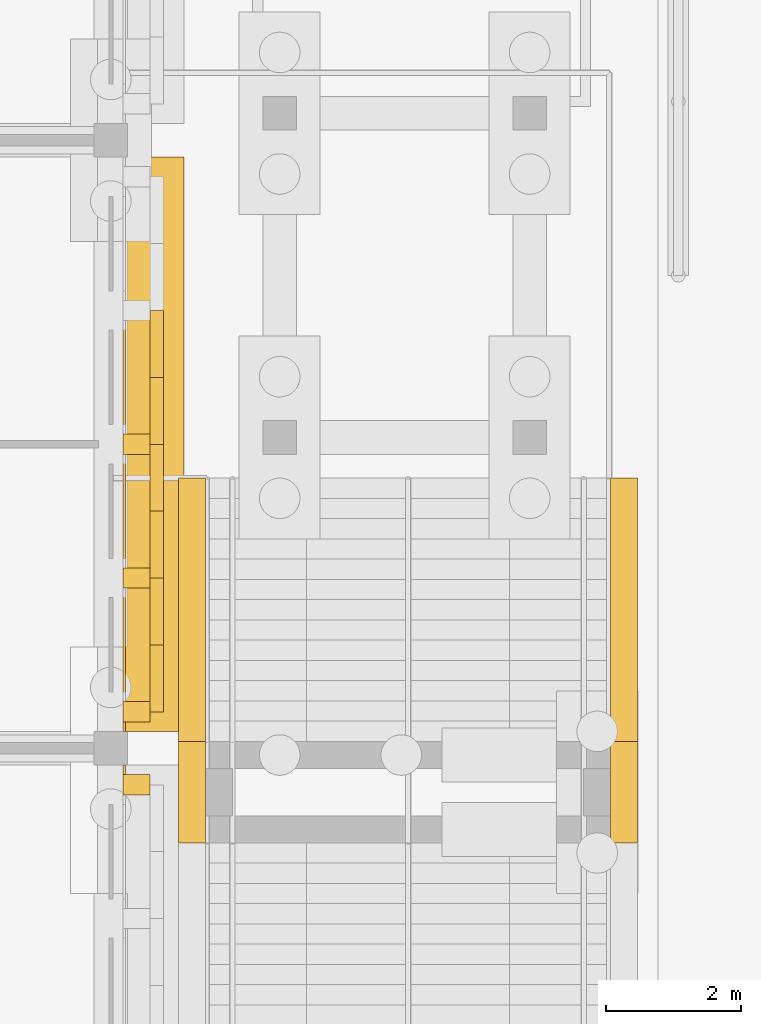
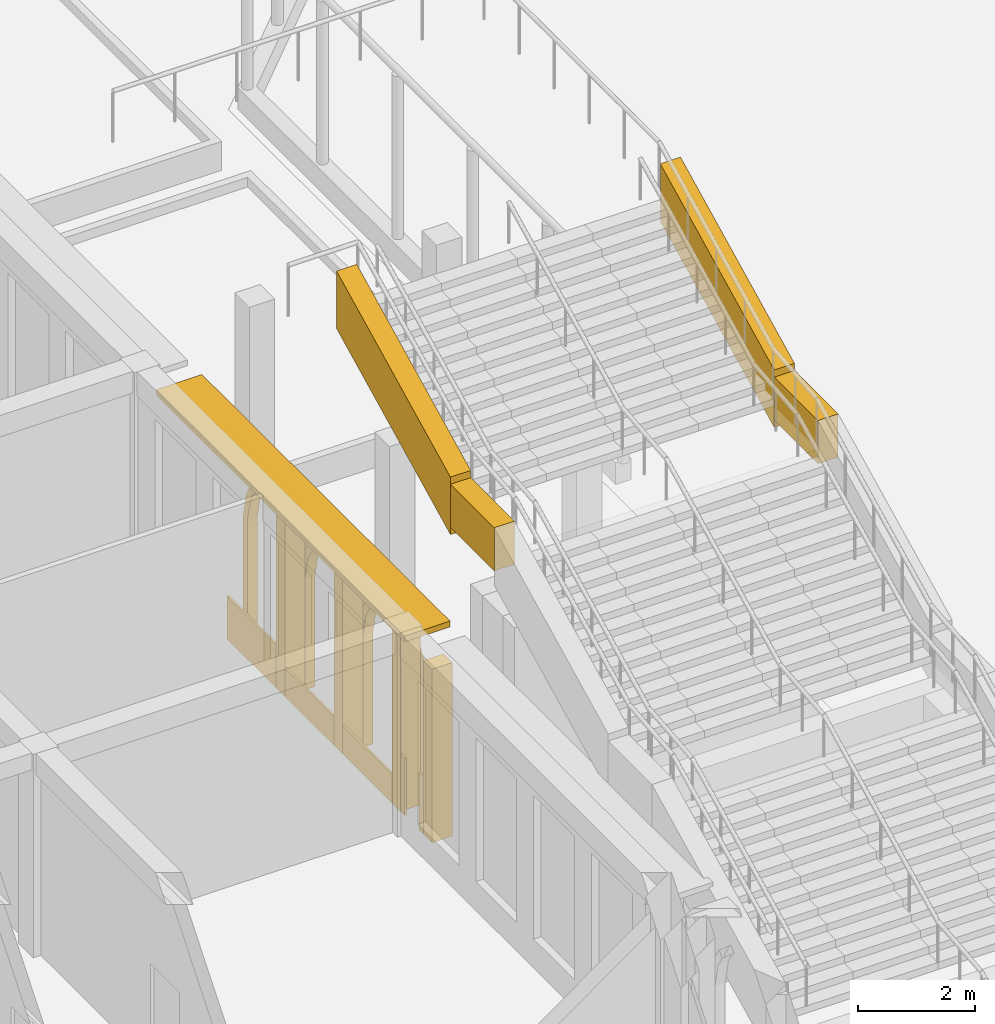
# One storey, part 137 of 161: 16 coverings, 1 shading device.
"""IFC4 building model written with IfcOpenShell, lengths in metres."""

from ifc_helpers import new_model, si_unit, direction, frame, origin, origin_2d, place, context, subcontext, project, spatial, polyline, rectangle, outline, extrude, material, layer, layer_set, type_object, element, save


model = new_model("IFC4")

# Units and contexts
model_context = context("Model", 3, precision=1e-05, world=origin(), true_north=direction((0.0, 1.0)))
body_context = subcontext(model_context, "Body", "Model", "MODEL_VIEW")
ifc_project = project(units=[si_unit("LENGTHUNIT", "METRE"), si_unit("AREAUNIT", "SQUARE_METRE"), si_unit("VOLUMEUNIT", "CUBIC_METRE"), si_unit("PLANEANGLEUNIT", "RADIAN"), si_unit("MASSUNIT", "GRAM", prefix="KILO")], contexts=[model_context])

# Site, building, storey
site_placement = place(None, origin())
site = spatial("IfcSite", under=ifc_project, at=site_placement, CompositionType="ELEMENT")
building_placement = place(site_placement, origin())
building = spatial("IfcBuilding", under=site, at=building_placement, Name="Elbe Cascade School", CompositionType="ELEMENT")
storey_placement = place(building_placement, origin())
storey = spatial("IfcBuildingStorey", under=building, at=storey_placement, Name="L00", CompositionType="ELEMENT", Elevation=0.0)

# Shading device
ifc_material_1 = material(Name="Precast concrete C30/37", Category="concrete")
ifc_layer_1 = layer(ifc_material_1, 0.1201171875)
ifc_layer_set_1 = layer_set([ifc_layer_1], Name="Precast concrete C30/37")
shading_device_type = type_object("IfcShadingDeviceType", Name="Bars envelope Chhajja eave, precast concrete, 900 x 120", PredefinedType="USERDEFINED", material=ifc_layer_set_1)
shading_device_placement = place(storey_placement, frame((175.530029296875, 37.5, 3.6298828125), z_axis=(0.0, 0.0, 1.0), x_axis=(0.0, 1.0, 0.0)))
element("IfcShadingDevice", 1, at=shading_device_placement, inside=storey, type_object=shading_device_type, Name="Chhajja eave SD2 D.L00.e4", ObjectType="CHHAJJA", PredefinedType="USERDEFINED", context=body_context, shape_type="SweptSolid", body=[
    extrude(rectangle(XDim=8.5, YDim=0.89990234375, at=origin_2d()), origin(), (0.0, 0.0, 1.0), 0.1201171875),
])

# Coverings
ifc_material_2 = material(Name="Precast concrete C40/50", Category="concrete")
covering_type_1 = type_object("IfcCoveringType", Name="Bars envelope Precast concrete fin, 300 wide, 400 deep", PredefinedType="CLADDING", material=ifc_material_2)
for number, where, z_axis, x_axis, name in (
    (2, (175.280029296875, 32.4599609375, 0.0), (0.0, 0.0, 1.0), (0.0, 1.0, 0.0), "Fin CV67 D.L00.e3.5"),
    (3, (175.280029296875, 33.5400390625, 0.0), (0.0, 0.0, 1.0), (0.0, 1.0, 0.0), "Fin CV67 D.L00.e4.1"),
    (4, (175.280029296875, 35.52001953125, 0.0), (0.0, 0.0, 1.0), (0.0, 1.0, 0.0), "Fin CV67 D.L00.e4.2"),
    (5, (175.280029296875, 37.5, 0.0), (0.0, 0.0, 1.0), (0.0, 1.0, 0.0), "Fin CV67 D.L00.e4.3"),
):
    element("IfcCovering", number, at=place(storey_placement, frame(where, z_axis=z_axis, x_axis=x_axis)), inside=storey, type_object=covering_type_1, Name=name, PredefinedType="CLADDING", context=body_context, shape_type="SweptSolid", body=[
        extrude(rectangle(XDim=0.300048828125, YDim=0.39990234375, at=origin_2d()), origin(), (0.0, 0.0, 1.0), 3.6298828125),
    ])
ifc_material_3 = material(Name="Sandstone - red", Category="masonry")
ifc_layer_2 = layer(ifc_material_3, 0.0400390625)
ifc_layer_set_2 = layer_set([ifc_layer_2], Name="Sandstone - red")
covering_type_2 = type_object("IfcCoveringType", Name="Bars envelope Sandstone cladding, red, 40 mm", PredefinedType="CLADDING", material=ifc_layer_set_2)
for number, where, z_axis, x_axis, name in (
    (6, (175.10009765625, 32.679931640625, 0.0), (0.0, 0.0, 1.0), (0.0, 1.0, 0.0), "Sandstone cladding CV48 D.L00.e.3.6"),
    (7, (175.10009765625, 33.320068359375, 0.0), (0.0, 0.0, 1.0), (0.0, 1.0, 0.0), "Sandstone cladding CV48 D.L00.e.4.1"),
):
    element("IfcCovering", number, at=place(storey_placement, frame(where, z_axis=z_axis, x_axis=x_axis)), inside=storey, type_object=covering_type_2, Name=name, PredefinedType="CLADDING", context=body_context, shape_type="SweptSolid", body=[
        extrude(rectangle(XDim=0.139892578125, YDim=0.0400390625, at=origin_2d()), origin(), (0.0, 0.0, 1.0), 1.199951171875),
    ])
for number, where, z_axis, x_axis, name in (
    (8, (175.10009765625, 34.530029296875, 0.0), (0.0, 0.0, 1.0), (0.0, 1.0, 0.0), "Sandstone cladding CV48 D.L00.e.4.2"),
    (9, (175.10009765625, 36.510009765625, 0.0), (0.0, 0.0, 1.0), (0.0, 1.0, 0.0), "Sandstone cladding CV48 D.L00.e.4.3"),
):
    element("IfcCovering", number, at=place(storey_placement, frame(where, z_axis=z_axis, x_axis=x_axis)), inside=storey, type_object=covering_type_2, Name=name, PredefinedType="CLADDING", context=body_context, shape_type="SweptSolid", body=[
        extrude(rectangle(XDim=1.679931640625, YDim=0.0400390625, at=origin_2d()), origin(), (0.0, 0.0, 1.0), 0.60009765625),
    ])
covering_1_placement = place(storey_placement, frame((175.10009765625, 38.489990234375, 0.0), z_axis=(0.0, 0.0, 1.0), x_axis=(0.0, 1.0, 0.0)))
element("IfcCovering", 10, at=covering_1_placement, inside=storey, type_object=covering_type_2, Name="Sandstone cladding CV48 D.L00.e.4.4", PredefinedType="CLADDING", context=body_context, shape_type="SweptSolid", body=[
    extrude(rectangle(XDim=1.679931640625, YDim=0.0400390625, at=origin_2d()), origin(), (0.0, 0.0, 1.0), 0.89990234375),
])
ifc_material_4 = material(Name="Sandstone - red", Category="masonry")
covering_type_3 = type_object("IfcCoveringType", Name="Bars envelope Sandstone pointed arch band, 1980 wide, 200 deep", PredefinedType="CLADDING", material=ifc_material_4)
covering_2_placement = place(storey_placement, frame((175.679931640625, 33.68994140625, 0.0), z_axis=(1.0, 0.0, 0.0), x_axis=(0.0, 0.0, 1.0)))
element("IfcCovering", 11, at=covering_2_placement, inside=storey, type_object=covering_type_3, Name="Arcade arch CV68 D.L00.e4.1", PredefinedType="CLADDING", context=body_context, shape_type="SweptSolid", body=[
    extrude(outline(polyline([(0.0, 0.0), (2.330078125, 0.0), (2.822509765625, -0.10498046875), (3.010498046875, -0.2099609375), (3.143310546875, -0.31494140625), (3.2451171875, -0.420166015625), (3.325927734375, -0.525146484375), (3.390380859375, -0.630126953125), (3.44091796875, -0.735107421875), (3.47998046875, -0.840087890625), (3.44091796875, -0.945068359375), (3.390380859375, -1.050048828125), (3.325927734375, -1.155029296875), (3.2451171875, -1.260009765625), (3.143310546875, -1.364990234375), (3.010498046875, -1.469970703125), (2.822509765625, -1.574951171875), (2.330078125, -1.68017578125), (0.0, -1.68017578125), (0.0, -1.830078125), (2.330078125, -1.830078125), (2.894287109375, -1.706298828125), (3.108642578125, -1.58251953125), (3.25927734375, -1.458740234375), (3.3740234375, -1.3349609375), (3.464111328125, -1.211181640625), (3.53466796875, -1.087646484375), (3.58935546875, -0.9638671875), (3.6298828125, -0.840087890625), (3.58935546875, -0.71630859375), (3.53466796875, -0.592529296875), (3.464111328125, -0.46875), (3.3740234375, -0.344970703125), (3.25927734375, -0.221435546875), (3.108642578125, -0.09765625), (2.894287109375, 0.026123046875), (2.330078125, 0.14990234375), (0.0, 0.14990234375), (0.0, 0.0)])), origin(), (0.0, 0.0, -1.0), 0.199951171875),
])
covering_3_placement = place(storey_placement, frame((175.679931640625, 35.669921875, 0.0), z_axis=(1.0, 0.0, 0.0), x_axis=(0.0, 0.0, 1.0)))
element("IfcCovering", 12, at=covering_3_placement, inside=storey, type_object=covering_type_3, Name="Arcade arch CV68 D.L00.e4.2", PredefinedType="CLADDING", context=body_context, shape_type="SweptSolid", body=[
    extrude(outline(polyline([(0.0, 0.0), (2.330078125, 0.0), (2.822509765625, -0.10498046875), (3.010498046875, -0.2099609375), (3.143310546875, -0.315185546875), (3.2451171875, -0.420166015625), (3.325927734375, -0.525146484375), (3.390380859375, -0.630126953125), (3.44091796875, -0.735107421875), (3.47998046875, -0.840087890625), (3.44091796875, -0.945068359375), (3.390380859375, -1.050048828125), (3.325927734375, -1.155029296875), (3.2451171875, -1.260009765625), (3.143310546875, -1.364990234375), (3.010498046875, -1.469970703125), (2.822509765625, -1.5751953125), (2.330078125, -1.68017578125), (0.0, -1.68017578125), (0.0, -1.830078125), (2.330078125, -1.830078125), (2.894287109375, -1.706298828125), (3.108642578125, -1.58251953125), (3.25927734375, -1.458740234375), (3.3740234375, -1.3349609375), (3.464111328125, -1.211181640625), (3.53466796875, -1.087646484375), (3.58935546875, -0.9638671875), (3.6298828125, -0.840087890625), (3.58935546875, -0.71630859375), (3.53466796875, -0.592529296875), (3.464111328125, -0.46875), (3.3740234375, -0.344970703125), (3.25927734375, -0.22119140625), (3.108642578125, -0.09765625), (2.894287109375, 0.026123046875), (2.330078125, 0.14990234375), (0.0, 0.14990234375), (0.0, 0.0)])), origin(), (0.0, 0.0, -1.0), 0.199951171875),
])
covering_4_placement = place(storey_placement, frame((175.679931640625, 37.64990234375, 0.0), z_axis=(1.0, 0.0, 0.0), x_axis=(0.0, 0.0, 1.0)))
element("IfcCovering", 13, at=covering_4_placement, inside=storey, type_object=covering_type_3, Name="Arcade arch CV68 D.L00.e4.3", PredefinedType="CLADDING", context=body_context, shape_type="SweptSolid", body=[
    extrude(outline(polyline([(0.0, 0.0), (2.330078125, 0.0), (2.822509765625, -0.10498046875), (3.010498046875, -0.210205078125), (3.143310546875, -0.315185546875), (3.2451171875, -0.420166015625), (3.325927734375, -0.525146484375), (3.390380859375, -0.630126953125), (3.44091796875, -0.735107421875), (3.47998046875, -0.840087890625), (3.44091796875, -0.945068359375), (3.390380859375, -1.050048828125), (3.325927734375, -1.155029296875), (3.2451171875, -1.260009765625), (3.143310546875, -1.364990234375), (3.010498046875, -1.47021484375), (2.822509765625, -1.5751953125), (2.330078125, -1.68017578125), (0.0, -1.68017578125), (0.0, -1.830078125), (2.330078125, -1.830078125), (2.894287109375, -1.706298828125), (3.108642578125, -1.58251953125), (3.25927734375, -1.458740234375), (3.3740234375, -1.335205078125), (3.464111328125, -1.211181640625), (3.53466796875, -1.087646484375), (3.58935546875, -0.9638671875), (3.6298828125, -0.840087890625), (3.58935546875, -0.71630859375), (3.53466796875, -0.592529296875), (3.464111328125, -0.46875), (3.3740234375, -0.34521484375), (3.25927734375, -0.22119140625), (3.108642578125, -0.09765625), (2.894287109375, 0.026123046875), (2.330078125, 0.14990234375), (0.0, 0.14990234375), (0.0, 0.0)])), origin(), (0.0, 0.0, -1.0), 0.199951171875),
])
ifc_material_5 = material(Name="Sandstone - red", Category="masonry")
ifc_layer_3 = layer(ifc_material_5, 0.39990234375)
ifc_layer_set_3 = layer_set([ifc_layer_3], Name="Sandstone - red")
covering_type_4 = type_object("IfcCoveringType", Name="Cascade cheek wall 400", PredefinedType="CLADDING", material=ifc_layer_set_3)
covering_5_placement = place(storey_placement, frame((175.89990234375, 33.10009765625, 6.877197265625), z_axis=(0.0, -0.445913150156, 0.895076232797), x_axis=(0.0, 0.895076232797, 0.445913150156)))
element("IfcCovering", 14, at=covering_5_placement, inside=storey, type_object=covering_type_4, Name="Cascade flight 4 cheek wall w", PredefinedType="CLADDING", context=body_context, shape_type="SweptSolid", body=[
    extrude(outline(polyline([(0.0, 0.0), (4.3570616678807825, 0.0), (4.3570616678807825, -0.400146484375), (0.0, -0.400146484375), (0.0, 0.0)])), origin(), (-0.445913150156, 0.0, -0.895076232797), 1.199951171875),
])
covering_6_placement = place(storey_placement, frame((0.0, 0.0, 5.82763671875)))
element("IfcCovering", 15, at=covering_6_placement, inside=storey, type_object=covering_type_4, Name="Cascade landing 3 cheek wall w", PredefinedType="CLADDING", context=body_context, shape_type="SweptSolid", body=[
    extrude(outline(polyline([(175.89990234375, 31.60009765625), (176.300048828125, 31.60009765625), (176.300048828125, 33.10009765625), (175.89990234375, 33.10009765625), (175.89990234375, 31.60009765625)])), origin(), (0.0, 0.0, 1.0), 0.89990234375),
])
covering_7_placement = place(storey_placement, frame((182.300048828125, 33.10009765625, 6.877197265625), z_axis=(0.0, -0.445913150156, 0.895076232797), x_axis=(0.0, 0.895076232797, 0.445913150156)))
element("IfcCovering", 16, at=covering_7_placement, inside=storey, type_object=covering_type_4, Name="Cascade flight 4 cheek wall e", PredefinedType="CLADDING", context=body_context, shape_type="SweptSolid", body=[
    extrude(outline(polyline([(0.0, 0.0), (4.3570616678807825, 0.0), (4.3570616678807825, -0.39990234375), (0.0, -0.39990234375), (0.0, 0.0)])), origin(), (-0.445913150156, 0.0, -0.895076232797), 1.199951171875),
])
covering_8_placement = place(storey_placement, frame((0.0, 0.0, 5.82763671875)))
element("IfcCovering", 17, at=covering_8_placement, inside=storey, type_object=covering_type_4, Name="Cascade landing 3 cheek wall e", PredefinedType="CLADDING", context=body_context, shape_type="SweptSolid", body=[
    extrude(outline(polyline([(182.300048828125, 31.60009765625), (182.699951171875, 31.60009765625), (182.699951171875, 33.10009765625), (182.300048828125, 33.10009765625), (182.300048828125, 31.60009765625)])), origin(), (0.0, 0.0, 1.0), 0.89990234375),
])

save(model, "model.ifc")
